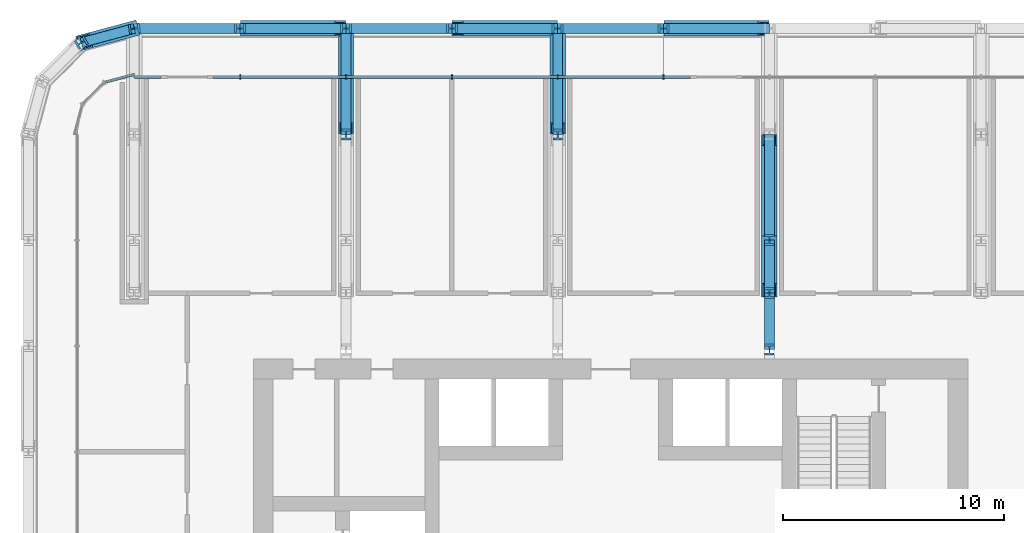
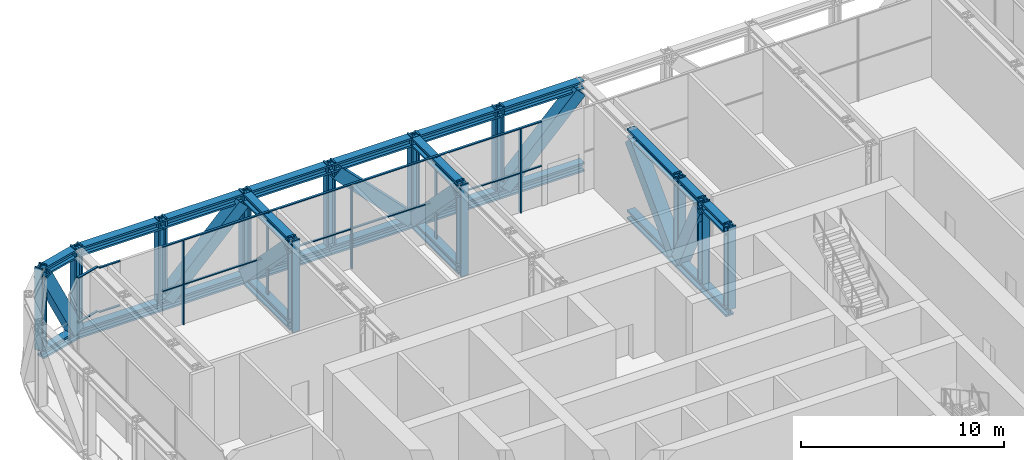
# One storey, part 9 of 23: 60 members, 2 elements without a shape of their own.
"""IFC4 building model written with IfcOpenShell, lengths in metres."""

from ifc_helpers import new_model, si_unit, direction, frame, origin, origin_2d, place, context, subcontext, project, spatial, rectangle, hollow_rectangle, i_section, extrude, material, layer, layer_set, material_profile, profile_set, type_object, element, aggregate, save


model = new_model("IFC4")

# Units and contexts
model_context = context("Model", 3, precision=1e-05, world=origin(), true_north=direction((0.0, 1.0)))
body_context = subcontext(model_context, "Body", "Model", "MODEL_VIEW")
ifc_project = project(units=[si_unit("LENGTHUNIT", "METRE"), si_unit("AREAUNIT", "SQUARE_METRE"), si_unit("VOLUMEUNIT", "CUBIC_METRE"), si_unit("PLANEANGLEUNIT", "RADIAN"), si_unit("MASSUNIT", "GRAM", prefix="KILO")], contexts=[model_context])

# Site, building, storey
site_placement = place(None, origin())
site = spatial("IfcSite", under=ifc_project, at=site_placement, CompositionType="ELEMENT")
building_placement = place(site_placement, origin())
building = spatial("IfcBuilding", under=site, at=building_placement, Name="Madar Terraces", CompositionType="ELEMENT")
storey_placement = place(building_placement, frame((0.0, 0.0, 83.800048828125)))
storey = spatial("IfcBuildingStorey", under=building, at=storey_placement, Name="L21", CompositionType="ELEMENT", Elevation=83.800048828125)

# Members
ifc_material_1 = material(Name="Steel ASTM A913 Grade 65", Category="steel")
ifc_material_profile_1 = material_profile(ifc_material_1, i_section(OverallWidth=0.449462890625, OverallDepth=0.548583984375, WebThickness=0.07177734375, FlangeThickness=0.11474609375, at=origin_2d()), Name="W14x665")
ifc_profile_set_1 = profile_set([ifc_material_profile_1], Name="Steel ASTM A913 Grade 65")
member_type_1 = type_object("IfcMemberType", Name="BC3 W14x665", PredefinedType="CHORD", material=ifc_profile_set_1)
member_1_placement = place(storey_placement, frame((38.39990234375, 52.800048828125, -0.145751953125), z_axis=(-1.0, 0.0, 0.0), x_axis=(0.0, -1.0, 0.0)))
element("IfcMember", 1, at=member_1_placement, inside=storey, type_object=member_type_1, Name="Exoskeleton truss ring bottom chord BC3", PredefinedType="CHORD", context=body_context, shape_type="SweptSolid", body=[
    extrude(i_section(OverallWidth=0.449462890625, OverallDepth=0.548583984375, WebThickness=0.07177734375, FlangeThickness=0.11474609375, at=origin_2d()), origin(), (0.0, 0.0, 1.0), 4.7998046875),
])
for number, where, z_axis, x_axis, name in (
    (2, (33.60009765625, 52.800048828125, -0.145751953125), (-1.0, 0.0, 0.0), (0.0, -1.0, 0.0), "Exoskeleton truss ring bottom chord BC3"),
    (3, (28.800048828125, 52.800048828125, -0.145751953125), (-1.0, 0.0, 0.0), (0.0, -1.0, 0.0), "Exoskeleton truss ring bottom chord BC3"),
    (4, (24.0, 52.800048828125, -0.145751953125), (-1.0, 0.0, 0.0), (0.0, -1.0, 0.0), "Exoskeleton truss ring bottom chord BC3"),
    (5, (19.199951171875, 52.800048828125, -0.145751953125), (-1.0, 0.0, 0.0), (0.0, -1.0, 0.0), "Exoskeleton truss ring bottom chord BC3"),
):
    element("IfcMember", number, at=place(storey_placement, frame(where, z_axis=z_axis, x_axis=x_axis)), inside=storey, type_object=member_type_1, Name=name, PredefinedType="CHORD", context=body_context, shape_type="SweptSolid", body=[
        extrude(i_section(OverallWidth=0.449462890625, OverallDepth=0.548583984375, WebThickness=0.07177734375, FlangeThickness=0.11474609375, at=origin_2d()), origin(), (0.0, 0.0, 1.0), 4.800048828125),
    ])
member_2_placement = place(storey_placement, frame((14.39990234375, 52.800048828125, -0.145751953125), z_axis=(-1.0, 0.0, 0.0), x_axis=(0.0, -1.0, 0.0)))
element("IfcMember", 6, at=member_2_placement, inside=storey, type_object=member_type_1, Name="Exoskeleton truss ring bottom chord BC3", PredefinedType="CHORD", context=body_context, shape_type="SweptSolid", body=[
    extrude(i_section(OverallWidth=0.449462890625, OverallDepth=0.548583984375, WebThickness=0.07177734375, FlangeThickness=0.11474609375, at=origin_2d()), origin(), (0.0, 0.0, 1.0), 4.7998046875),
])
member_3_placement = place(storey_placement, frame((9.60009765625, 52.800048828125, -0.145751953125), z_axis=(-0.965930947833, -0.258799930484, 0.0), x_axis=(0.258799930484, -0.965930947833, 0.0)))
element("IfcMember", 7, at=member_3_placement, inside=storey, type_object=member_type_1, Name="Exoskeleton truss ring bottom chord BC3", PredefinedType="CHORD", context=body_context, shape_type="SweptSolid", body=[
    extrude(i_section(OverallWidth=0.449462890625, OverallDepth=0.548583984375, WebThickness=0.07177734375, FlangeThickness=0.11474609375, at=origin_2d()), origin(), (0.0, 0.0, 1.0), 2.48486328125),
])
for number, where, z_axis, x_axis, name in (
    (8, (19.199951171875, 52.5751953125, -0.145751953125), (0.0, -1.0, 0.0), (1.0, 0.0, 0.0), "Exoskeleton truss cross N19.2 bottom chord BC3"),
    (9, (28.800048828125, 52.5751953125, -0.145751953125), (0.0, -1.0, 0.0), (1.0, 0.0, 0.0), "Exoskeleton truss cross N28.8 bottom chord BC3"),
):
    element("IfcMember", number, at=place(storey_placement, frame(where, z_axis=z_axis, x_axis=x_axis)), inside=storey, type_object=member_type_1, Name=name, PredefinedType="CHORD", context=body_context, shape_type="SweptSolid", body=[
        extrude(i_section(OverallWidth=0.449462890625, OverallDepth=0.548583984375, WebThickness=0.07177734375, FlangeThickness=0.11474609375, at=origin_2d()), origin(), (0.0, 0.0, 1.0), 4.5751953125),
    ])
member_4_placement = place(storey_placement, frame((38.39990234375, 48.0, -0.145751953125), z_axis=(0.0, -1.0, 0.0), x_axis=(1.0, 0.0, 0.0)))
element("IfcMember", 10, at=member_4_placement, inside=storey, type_object=member_type_1, Name="Exoskeleton truss cross N38.4 bottom chord BC3", PredefinedType="CHORD", context=body_context, shape_type="SweptSolid", body=[
    extrude(i_section(OverallWidth=0.449462890625, OverallDepth=0.548583984375, WebThickness=0.07177734375, FlangeThickness=0.11474609375, at=origin_2d()), origin(), (0.0, 0.0, 1.0), 4.800048828125),
])
member_5_placement = place(storey_placement, frame((38.39990234375, 43.199951171875, -0.145751953125), z_axis=(0.0, -1.0, 0.0), x_axis=(1.0, 0.0, 0.0)))
element("IfcMember", 11, at=member_5_placement, inside=storey, type_object=member_type_1, Name="Exoskeleton truss cross N38.4 bottom chord BC3", PredefinedType="CHORD", context=body_context, shape_type="SweptSolid", body=[
    extrude(i_section(OverallWidth=0.449462890625, OverallDepth=0.548583984375, WebThickness=0.07177734375, FlangeThickness=0.11474609375, at=origin_2d()), origin(), (0.0, 0.0, 1.0), 2.39990234375),
])
member_6_placement = place(storey_placement, frame((38.39990234375, 40.800048828125, -0.145751953125), z_axis=(0.0, -1.0, 0.0), x_axis=(1.0, 0.0, 0.0)))
element("IfcMember", 12, at=member_6_placement, inside=storey, type_object=member_type_1, Name="Exoskeleton truss cross N38.4 bottom chord BC3", PredefinedType="CHORD", context=body_context, shape_type="SweptSolid", body=[
    extrude(i_section(OverallWidth=0.449462890625, OverallDepth=0.548583984375, WebThickness=0.07177734375, FlangeThickness=0.11474609375, at=origin_2d()), origin(), (0.0, 0.0, 1.0), 2.550048828125),
])

# Curtain wall, members
ifc_material_2 = material(Name="Glass, ceramic frit dark grey, with black aluminium frame", Category="aluminium")
ifc_layer = layer(ifc_material_2, 0.199951171875)
ifc_layer_set = layer_set([ifc_layer], Name="Facade curtain wall, tall glazing")
curtain_wall_type = type_object("IfcCurtainWallType", Name="Facade curtain wall, tall glazing", PredefinedType="NOTDEFINED", material=ifc_layer_set)
curtain_wall_1_placement = place(storey_placement, origin())
curtain_wall_1 = element("IfcCurtainWall", 13, at=curtain_wall_1_placement, inside=storey, type_object=curtain_wall_type, Name="Outer skin curtain wall north bay 1", PredefinedType="NOTDEFINED")
ifc_material_3 = material(Name="Aluminium, black anodised", Category="aluminium")
ifc_material_profile_2 = material_profile(ifc_material_3, rectangle(XDim=0.199951171875, YDim=0.06005859375, at=origin_2d()), Name="Facade mullion 60x200")
ifc_profile_set_2 = profile_set([ifc_material_profile_2], Name="Aluminium, black anodised")
member_type_2 = type_object("IfcMemberType", Name="Facade mullion 60x200", PredefinedType="MULLION", material=ifc_profile_set_2)
member_7_placement = place(storey_placement, frame((33.60009765625, 50.60009765625, 0.0), z_axis=(0.0, 0.0, 1.0), x_axis=(0.0, -1.0, 0.0)))
member_7 = element("IfcMember", 14, at=member_7_placement, type_object=member_type_2, Name="Mullion 5", PredefinedType="MULLION", context=body_context, shape_type="SweptSolid", body=[
    extrude(rectangle(XDim=0.199951171875, YDim=0.06005859375, at=origin_2d()), origin(), (0.0, 0.0, 1.0), 5.0400390625),
])
member_8_placement = place(storey_placement, frame((28.800048828125, 50.60009765625, 0.0), z_axis=(0.0, 0.0, 1.0), x_axis=(0.0, -1.0, 0.0)))
member_8 = element("IfcMember", 15, at=member_8_placement, type_object=member_type_2, Name="Mullion 6", PredefinedType="MULLION", context=body_context, shape_type="SweptSolid", body=[
    extrude(rectangle(XDim=0.199951171875, YDim=0.06005859375, at=origin_2d()), origin(), (0.0, 0.0, 1.0), 5.0400390625),
])
member_9_placement = place(storey_placement, frame((24.0, 50.60009765625, 0.0), z_axis=(0.0, 0.0, 1.0), x_axis=(0.0, -1.0, 0.0)))
member_9 = element("IfcMember", 16, at=member_9_placement, type_object=member_type_2, Name="Mullion 7", PredefinedType="MULLION", context=body_context, shape_type="SweptSolid", body=[
    extrude(rectangle(XDim=0.199951171875, YDim=0.06005859375, at=origin_2d()), origin(), (0.0, 0.0, 1.0), 5.0400390625),
])
member_10_placement = place(storey_placement, frame((19.199951171875, 50.60009765625, 0.0), z_axis=(0.0, 0.0, 1.0), x_axis=(0.0, -1.0, 0.0)))
member_10 = element("IfcMember", 17, at=member_10_placement, type_object=member_type_2, Name="Mullion 8", PredefinedType="MULLION", context=body_context, shape_type="SweptSolid", body=[
    extrude(rectangle(XDim=0.199951171875, YDim=0.06005859375, at=origin_2d()), origin(), (0.0, 0.0, 1.0), 5.0400390625),
])
member_11_placement = place(storey_placement, frame((14.39990234375, 50.60009765625, 0.0), z_axis=(0.0, 0.0, 1.0), x_axis=(0.0, -1.0, 0.0)))
member_11 = element("IfcMember", 18, at=member_11_placement, type_object=member_type_2, Name="Mullion 9", PredefinedType="MULLION", context=body_context, shape_type="SweptSolid", body=[
    extrude(rectangle(XDim=0.199951171875, YDim=0.06005859375, at=origin_2d()), origin(), (0.0, 0.0, 1.0), 5.0400390625),
])
ifc_material_4 = material(Name="Aluminium, black anodised", Category="aluminium")
ifc_material_profile_3 = material_profile(ifc_material_4, rectangle(XDim=0.1201171875, YDim=0.06005859375, at=origin_2d()), Name="Facade transom 60x120")
ifc_profile_set_3 = profile_set([ifc_material_profile_3], Name="Aluminium, black anodised")
member_type_3 = type_object("IfcMemberType", Name="Facade transom 60x120", PredefinedType="USERDEFINED", material=ifc_profile_set_3)
member_12_placement = place(storey_placement, frame((34.800048828125, 50.60009765625, 5.070068359375), z_axis=(-1.0, 0.0, 0.0), x_axis=(0.0, -1.0, 0.0)))
member_12 = element("IfcMember", 19, at=member_12_placement, type_object=member_type_3, Name="Transom 7", ObjectType="TRANSOM", PredefinedType="USERDEFINED", context=body_context, shape_type="SweptSolid", body=[
    extrude(rectangle(XDim=0.1201171875, YDim=0.06005859375, at=origin_2d()), origin(), (0.0, 0.0, 1.0), 21.60009765625),
])
member_13_placement = place(storey_placement, frame((34.800048828125, 50.60009765625, 2.39990234375), z_axis=(-1.0, 0.0, 0.0), x_axis=(0.0, -1.0, 0.0)))
member_13 = element("IfcMember", 20, at=member_13_placement, type_object=member_type_3, Name="Transom 8", ObjectType="TRANSOM", PredefinedType="USERDEFINED", context=body_context, shape_type="SweptSolid", body=[
    extrude(rectangle(XDim=0.1201171875, YDim=0.06005859375, at=origin_2d()), origin(), (0.0, 0.0, 1.0), 1.170166015625),
])
member_14_placement = place(storey_placement, frame((33.570068359375, 50.60009765625, 2.39990234375), z_axis=(-1.0, 0.0, 0.0), x_axis=(0.0, -1.0, 0.0)))
member_14 = element("IfcMember", 21, at=member_14_placement, type_object=member_type_3, Name="Transom 9", ObjectType="TRANSOM", PredefinedType="USERDEFINED", context=body_context, shape_type="SweptSolid", body=[
    extrude(rectangle(XDim=0.1201171875, YDim=0.06005859375, at=origin_2d()), origin(), (0.0, 0.0, 1.0), 4.739990234375),
])
member_15_placement = place(storey_placement, frame((28.77001953125, 50.60009765625, 2.39990234375), z_axis=(-1.0, 0.0, 0.0), x_axis=(0.0, -1.0, 0.0)))
member_15 = element("IfcMember", 22, at=member_15_placement, type_object=member_type_3, Name="Transom 10", ObjectType="TRANSOM", PredefinedType="USERDEFINED", context=body_context, shape_type="SweptSolid", body=[
    extrude(rectangle(XDim=0.1201171875, YDim=0.06005859375, at=origin_2d()), origin(), (0.0, 0.0, 1.0), 4.739990234375),
])
member_16_placement = place(storey_placement, frame((23.969970703125, 50.60009765625, 2.39990234375), z_axis=(-1.0, 0.0, 0.0), x_axis=(0.0, -1.0, 0.0)))
member_16 = element("IfcMember", 23, at=member_16_placement, type_object=member_type_3, Name="Transom 11", ObjectType="TRANSOM", PredefinedType="USERDEFINED", context=body_context, shape_type="SweptSolid", body=[
    extrude(rectangle(XDim=0.1201171875, YDim=0.06005859375, at=origin_2d()), origin(), (0.0, 0.0, 1.0), 4.739990234375),
])
member_17_placement = place(storey_placement, frame((19.169921875, 50.60009765625, 2.39990234375), z_axis=(-1.0, 0.0, 0.0), x_axis=(0.0, -1.0, 0.0)))
member_17 = element("IfcMember", 24, at=member_17_placement, type_object=member_type_3, Name="Transom 12", ObjectType="TRANSOM", PredefinedType="USERDEFINED", context=body_context, shape_type="SweptSolid", body=[
    extrude(rectangle(XDim=0.1201171875, YDim=0.06005859375, at=origin_2d()), origin(), (0.0, 0.0, 1.0), 4.739990234375),
])
member_18_placement = place(storey_placement, frame((14.3701171875, 50.60009765625, 2.39990234375), z_axis=(-1.0, 0.0, 0.0), x_axis=(0.0, -1.0, 0.0)))
member_18 = element("IfcMember", 25, at=member_18_placement, type_object=member_type_3, Name="Transom 13", ObjectType="TRANSOM", PredefinedType="USERDEFINED", context=body_context, shape_type="SweptSolid", body=[
    extrude(rectangle(XDim=0.1201171875, YDim=0.06005859375, at=origin_2d()), origin(), (0.0, 0.0, 1.0), 1.170166015625),
])
member_19_placement = place(storey_placement, frame((10.800048828125, 50.60009765625, 5.070068359375), z_axis=(-1.0, 0.0, 0.0), x_axis=(0.0, -1.0, 0.0)))
member_19 = element("IfcMember", 26, at=member_19_placement, type_object=member_type_3, Name="Transom 14", ObjectType="TRANSOM", PredefinedType="USERDEFINED", context=body_context, shape_type="SweptSolid", body=[
    extrude(rectangle(XDim=0.1201171875, YDim=0.06005859375, at=origin_2d()), origin(), (0.0, 0.0, 1.0), 1.199951171875),
])
member_20_placement = place(storey_placement, frame((10.800048828125, 50.60009765625, 2.39990234375), z_axis=(-1.0, 0.0, 0.0), x_axis=(0.0, -1.0, 0.0)))
member_20 = element("IfcMember", 27, at=member_20_placement, type_object=member_type_3, Name="Transom 15", ObjectType="TRANSOM", PredefinedType="USERDEFINED", context=body_context, shape_type="SweptSolid", body=[
    extrude(rectangle(XDim=0.1201171875, YDim=0.06005859375, at=origin_2d()), origin(), (0.0, 0.0, 1.0), 1.199951171875),
])
aggregate(curtain_wall_1, [member_7, member_8, member_9, member_10, member_11, member_12, member_13, member_14, member_15, member_16, member_17, member_18, member_19, member_20])

curtain_wall_2_placement = place(storey_placement, origin())
curtain_wall_2 = element("IfcCurtainWall", 28, at=curtain_wall_2_placement, inside=storey, type_object=curtain_wall_type, Name="Outer skin curtain wall north-west corner", PredefinedType="NOTDEFINED")
member_21_placement = place(storey_placement, frame((9.60009765625, 50.719970703125, 5.070068359375), z_axis=(-0.965919580711, -0.258842352791, 0.0), x_axis=(0.258842352791, -0.965919580711, 0.0)))
member_21 = element("IfcMember", 29, at=member_21_placement, type_object=member_type_3, Name="Transom 1", ObjectType="TRANSOM", PredefinedType="USERDEFINED", context=body_context, shape_type="SweptSolid", body=[
    extrude(rectangle(XDim=0.1201171875, YDim=0.06005859375, at=origin_2d()), origin(), (0.0, 0.0, 1.0), 1.3779296875),
])
member_22_placement = place(storey_placement, frame((9.60009765625, 50.719970703125, 2.39990234375), z_axis=(-0.965919580711, -0.258842352791, 0.0), x_axis=(0.258842352791, -0.965919580711, 0.0)))
member_22 = element("IfcMember", 30, at=member_22_placement, type_object=member_type_3, Name="Transom 2", ObjectType="TRANSOM", PredefinedType="USERDEFINED", context=body_context, shape_type="SweptSolid", body=[
    extrude(rectangle(XDim=0.1201171875, YDim=0.06005859375, at=origin_2d()), origin(), (0.0, 0.0, 1.0), 1.3779296875),
])
aggregate(curtain_wall_2, [member_21, member_22])

# Members
ifc_material_5 = material(Name="Steel ASTM A913 Grade 65", Category="steel")
ifc_material_profile_4 = material_profile(ifc_material_5, i_section(OverallWidth=0.44189453125, OverallDepth=0.53076171875, WebThickness=0.06591796875, FlangeThickness=0.105712890625, at=origin_2d()), Name="W14x605")
ifc_profile_set_4 = profile_set([ifc_material_profile_4], Name="Steel ASTM A913 Grade 65")
member_type_4 = type_object("IfcMemberType", Name="TC3 W14x605", PredefinedType="CHORD", material=ifc_profile_set_4)
member_23_placement = place(storey_placement, frame((38.39990234375, 52.800048828125, 4.764404296875), z_axis=(-1.0, 0.0, 0.0), x_axis=(0.0, -1.0, 0.0)))
element("IfcMember", 31, at=member_23_placement, inside=storey, type_object=member_type_4, Name="Exoskeleton truss ring top chord TC3", PredefinedType="CHORD", context=body_context, shape_type="SweptSolid", body=[
    extrude(i_section(OverallWidth=0.44189453125, OverallDepth=0.53076171875, WebThickness=0.06591796875, FlangeThickness=0.105712890625, at=origin_2d()), origin(), (0.0, 0.0, 1.0), 4.7998046875),
])
for number, where, z_axis, x_axis, name in (
    (32, (33.60009765625, 52.800048828125, 4.764404296875), (-1.0, 0.0, 0.0), (0.0, -1.0, 0.0), "Exoskeleton truss ring top chord TC3"),
    (33, (28.800048828125, 52.800048828125, 4.764404296875), (-1.0, 0.0, 0.0), (0.0, -1.0, 0.0), "Exoskeleton truss ring top chord TC3"),
    (34, (24.0, 52.800048828125, 4.764404296875), (-1.0, 0.0, 0.0), (0.0, -1.0, 0.0), "Exoskeleton truss ring top chord TC3"),
    (35, (19.199951171875, 52.800048828125, 4.764404296875), (-1.0, 0.0, 0.0), (0.0, -1.0, 0.0), "Exoskeleton truss ring top chord TC3"),
):
    element("IfcMember", number, at=place(storey_placement, frame(where, z_axis=z_axis, x_axis=x_axis)), inside=storey, type_object=member_type_4, Name=name, PredefinedType="CHORD", context=body_context, shape_type="SweptSolid", body=[
        extrude(i_section(OverallWidth=0.44189453125, OverallDepth=0.53076171875, WebThickness=0.06591796875, FlangeThickness=0.105712890625, at=origin_2d()), origin(), (0.0, 0.0, 1.0), 4.800048828125),
    ])
member_24_placement = place(storey_placement, frame((14.39990234375, 52.800048828125, 4.764404296875), z_axis=(-1.0, 0.0, 0.0), x_axis=(0.0, -1.0, 0.0)))
element("IfcMember", 36, at=member_24_placement, inside=storey, type_object=member_type_4, Name="Exoskeleton truss ring top chord TC3", PredefinedType="CHORD", context=body_context, shape_type="SweptSolid", body=[
    extrude(i_section(OverallWidth=0.44189453125, OverallDepth=0.53076171875, WebThickness=0.06591796875, FlangeThickness=0.105712890625, at=origin_2d()), origin(), (0.0, 0.0, 1.0), 4.7998046875),
])
member_25_placement = place(storey_placement, frame((9.60009765625, 52.800048828125, 4.764404296875), z_axis=(-0.965930947833, -0.258799930484, 0.0), x_axis=(0.258799930484, -0.965930947833, 0.0)))
element("IfcMember", 37, at=member_25_placement, inside=storey, type_object=member_type_4, Name="Exoskeleton truss ring top chord TC3", PredefinedType="CHORD", context=body_context, shape_type="SweptSolid", body=[
    extrude(i_section(OverallWidth=0.44189453125, OverallDepth=0.53076171875, WebThickness=0.06591796875, FlangeThickness=0.105712890625, at=origin_2d()), origin(), (0.0, 0.0, 1.0), 2.48486328125),
])
for number, where, z_axis, x_axis, name in (
    (38, (19.199951171875, 52.5791015625, 4.764404296875), (0.0, -1.0, 0.0), (1.0, 0.0, 0.0), "Exoskeleton truss cross N19.2 top chord TC3"),
    (39, (28.800048828125, 52.5791015625, 4.764404296875), (0.0, -1.0, 0.0), (1.0, 0.0, 0.0), "Exoskeleton truss cross N28.8 top chord TC3"),
):
    element("IfcMember", number, at=place(storey_placement, frame(where, z_axis=z_axis, x_axis=x_axis)), inside=storey, type_object=member_type_4, Name=name, PredefinedType="CHORD", context=body_context, shape_type="SweptSolid", body=[
        extrude(i_section(OverallWidth=0.44189453125, OverallDepth=0.53076171875, WebThickness=0.06591796875, FlangeThickness=0.105712890625, at=origin_2d()), origin(), (0.0, 0.0, 1.0), 4.5791015625),
    ])
member_26_placement = place(storey_placement, frame((38.39990234375, 48.0, 4.764404296875), z_axis=(0.0, -1.0, 0.0), x_axis=(1.0, 0.0, 0.0)))
element("IfcMember", 40, at=member_26_placement, inside=storey, type_object=member_type_4, Name="Exoskeleton truss cross N38.4 top chord TC3", PredefinedType="CHORD", context=body_context, shape_type="SweptSolid", body=[
    extrude(i_section(OverallWidth=0.44189453125, OverallDepth=0.53076171875, WebThickness=0.06591796875, FlangeThickness=0.105712890625, at=origin_2d()), origin(), (0.0, 0.0, 1.0), 4.800048828125),
])
member_27_placement = place(storey_placement, frame((38.39990234375, 43.199951171875, 4.764404296875), z_axis=(0.0, -1.0, 0.0), x_axis=(1.0, 0.0, 0.0)))
element("IfcMember", 41, at=member_27_placement, inside=storey, type_object=member_type_4, Name="Exoskeleton truss cross N38.4 top chord TC3", PredefinedType="CHORD", context=body_context, shape_type="SweptSolid", body=[
    extrude(i_section(OverallWidth=0.44189453125, OverallDepth=0.53076171875, WebThickness=0.06591796875, FlangeThickness=0.105712890625, at=origin_2d()), origin(), (0.0, 0.0, 1.0), 2.39990234375),
])
member_28_placement = place(storey_placement, frame((38.39990234375, 40.800048828125, 4.764404296875), z_axis=(0.0, -1.0, 0.0), x_axis=(1.0, 0.0, 0.0)))
element("IfcMember", 42, at=member_28_placement, inside=storey, type_object=member_type_4, Name="Exoskeleton truss cross N38.4 top chord TC3", PredefinedType="CHORD", context=body_context, shape_type="SweptSolid", body=[
    extrude(i_section(OverallWidth=0.44189453125, OverallDepth=0.53076171875, WebThickness=0.06591796875, FlangeThickness=0.105712890625, at=origin_2d()), origin(), (0.0, 0.0, 1.0), 2.550048828125),
])
ifc_material_6 = material(Name="Steel ASTM A572 Grade 50", Category="steel")
ifc_material_profile_5 = material_profile(ifc_material_6, hollow_rectangle(XDim=0.699951171875, YDim=0.699951171875, WallThickness=0.070068359375, at=origin_2d()), Name="BOX700x700x70")
ifc_profile_set_5 = profile_set([ifc_material_profile_5], Name="Steel ASTM A572 Grade 50")
member_type_5 = type_object("IfcMemberType", Name="TD3 BOX700x700x70", PredefinedType="BRACE", material=ifc_profile_set_5)
member_29_placement = place(storey_placement, frame((38.140625, 52.800048828125, 4.4990234375), z_axis=(-0.699052279579, 0.0, -0.715070563242), x_axis=(0.0, -1.0, 0.0)))
element("IfcMember", 43, at=member_29_placement, inside=storey, type_object=member_type_5, Name="Exoskeleton truss ring diagonal TD3", PredefinedType="BRACE", context=body_context, shape_type="SweptSolid", body=[
    extrude(hollow_rectangle(XDim=0.699951171875, YDim=0.699951171875, WallThickness=0.070068359375, at=origin_2d()), origin(), (0.0, 0.0, 1.0), 6.11181640625),
])
for number, where, z_axis, x_axis, name in (
    (44, (28.53173828125, 52.800048828125, 0.128662109375), (-0.699031853378, 0.0, 0.715090531306), (0.0, -1.0, 0.0), "Exoskeleton truss ring diagonal TD3"),
    (45, (18.9404296875, 52.800048828125, 4.4990234375), (-0.699031853378, 0.0, -0.715090531306), (0.0, -1.0, 0.0), "Exoskeleton truss ring diagonal TD3"),
):
    element("IfcMember", number, at=place(storey_placement, frame(where, z_axis=z_axis, x_axis=x_axis)), inside=storey, type_object=member_type_5, Name=name, PredefinedType="BRACE", context=body_context, shape_type="SweptSolid", body=[
        extrude(hollow_rectangle(XDim=0.699951171875, YDim=0.699951171875, WallThickness=0.070068359375, at=origin_2d()), origin(), (0.0, 0.0, 1.0), 6.111572265625),
    ])
member_30_placement = place(storey_placement, frame((9.4658203125, 52.76416015625, 0.128662109375), z_axis=(-0.436094854598, -0.116886779521, 0.892277287936), x_axis=(0.258892437981, -0.965906157738, 0.0)))
element("IfcMember", 46, at=member_30_placement, inside=storey, type_object=member_type_5, Name="Exoskeleton truss ring diagonal TD3", PredefinedType="BRACE", context=body_context, shape_type="SweptSolid", body=[
    extrude(hollow_rectangle(XDim=0.699951171875, YDim=0.699951171875, WallThickness=0.070068359375, at=origin_2d()), origin(), (0.0, 0.0, 1.0), 4.89794921875),
])
for number, where, z_axis, x_axis, name in (
    (47, (19.199951171875, 52.53173828125, 0.128662109375), (0.0, -0.699031853378, 0.715090531306), (1.0, 0.0, 0.0), "Exoskeleton truss cross N19.2 diagonal TD3"),
    (48, (28.800048828125, 52.53173828125, 0.128662109375), (0.0, -0.699031853378, 0.715090531306), (1.0, 0.0, 0.0), "Exoskeleton truss cross N28.8 diagonal TD3"),
    (49, (38.39990234375, 47.740478515625, 4.4990234375), (0.0, -0.699031853378, -0.715090531306), (1.0, 0.0, 0.0), "Exoskeleton truss cross N38.4 diagonal TD3"),
):
    element("IfcMember", number, at=place(storey_placement, frame(where, z_axis=z_axis, x_axis=x_axis)), inside=storey, type_object=member_type_5, Name=name, PredefinedType="BRACE", context=body_context, shape_type="SweptSolid", body=[
        extrude(hollow_rectangle(XDim=0.699951171875, YDim=0.699951171875, WallThickness=0.070068359375, at=origin_2d()), origin(), (0.0, 0.0, 1.0), 6.111572265625),
    ])
member_31_placement = place(storey_placement, frame((38.39990234375, 43.06591796875, 0.128662109375), z_axis=(0.0, -0.439145320484, 0.898416043655), x_axis=(1.0, 0.0, 0.0)))
element("IfcMember", 50, at=member_31_placement, inside=storey, type_object=member_type_5, Name="Exoskeleton truss cross N38.4 diagonal TD3", PredefinedType="BRACE", context=body_context, shape_type="SweptSolid", body=[
    extrude(hollow_rectangle(XDim=0.699951171875, YDim=0.699951171875, WallThickness=0.070068359375, at=origin_2d()), origin(), (0.0, 0.0, 1.0), 4.864501953125),
])
ifc_material_7 = material(Name="Steel ASTM A913 Grade 65", Category="steel")
ifc_material_profile_6 = material_profile(ifc_material_7, i_section(OverallWidth=0.431884765625, OverallDepth=0.497802734375, WebThickness=0.0556640625, FlangeThickness=0.0888671875, at=origin_2d()), Name="W14x500")
ifc_profile_set_6 = profile_set([ifc_material_profile_6], Name="Steel ASTM A913 Grade 65")
member_type_6 = type_object("IfcMemberType", Name="TV3 W14x500", PredefinedType="POST", material=ifc_profile_set_6)
for number, where, z_axis, x_axis, name in (
    (51, (33.60009765625, 52.800048828125, 0.128662109375), (0.0, 0.0, 1.0), (0.0, -1.0, 0.0), "Exoskeleton truss ring post TV3"),
    (52, (28.800048828125, 52.800048828125, 0.128662109375), (0.0, 0.0, 1.0), (0.0, -1.0, 0.0), "Exoskeleton truss ring post TV3"),
    (53, (24.0, 52.800048828125, 0.128662109375), (0.0, 0.0, 1.0), (0.0, -1.0, 0.0), "Exoskeleton truss ring post TV3"),
    (54, (19.199951171875, 52.800048828125, 0.128662109375), (0.0, 0.0, 1.0), (0.0, -1.0, 0.0), "Exoskeleton truss ring post TV3"),
    (55, (14.39990234375, 52.800048828125, 0.128662109375), (0.0, 0.0, 1.0), (0.0, -1.0, 0.0), "Exoskeleton truss ring post TV3"),
    (56, (9.60009765625, 52.800048828125, 0.128662109375), (0.0, 0.0, 1.0), (0.130526174916, -0.991444863652, 0.0), "Exoskeleton truss ring post TV3"),
    (57, (7.199951171875, 52.156982421875, 0.128662109375), (0.0, 0.0, 1.0), (0.499999984885, -0.866025412511, 0.0), "Exoskeleton truss ring post TV3"),
):
    element("IfcMember", number, at=place(storey_placement, frame(where, z_axis=z_axis, x_axis=x_axis)), inside=storey, type_object=member_type_6, Name=name, PredefinedType="POST", context=body_context, shape_type="SweptSolid", body=[
        extrude(i_section(OverallWidth=0.431884765625, OverallDepth=0.497802734375, WebThickness=0.0556640625, FlangeThickness=0.0888671875, at=origin_2d()), origin(), (0.0, 0.0, 1.0), 4.97119140625),
    ])
for number, where, z_axis, x_axis, name in (
    (58, (19.199951171875, 48.0, -0.420166015625), (0.0, 0.0, 1.0), (-1.0, 0.0, 0.0), "Exoskeleton truss cross N19.2 post TV3"),
    (59, (28.800048828125, 48.0, -0.420166015625), (0.0, 0.0, 1.0), (-1.0, 0.0, 0.0), "Exoskeleton truss cross N28.8 post TV3"),
):
    element("IfcMember", number, at=place(storey_placement, frame(where, z_axis=z_axis, x_axis=x_axis)), inside=storey, type_object=member_type_6, Name=name, PredefinedType="POST", context=body_context, shape_type="SweptSolid", body=[
        extrude(i_section(OverallWidth=0.431884765625, OverallDepth=0.497802734375, WebThickness=0.0556640625, FlangeThickness=0.0888671875, at=origin_2d()), origin(), (0.0, 0.0, 1.0), 5.52001953125),
    ])
for number, where, z_axis, x_axis, name in (
    (60, (38.39990234375, 43.199951171875, 0.128662109375), (0.0, 0.0, 1.0), (-1.0, 0.0, 0.0), "Exoskeleton truss cross N38.4 post TV3"),
    (61, (38.39990234375, 40.800048828125, 0.128662109375), (0.0, 0.0, 1.0), (-1.0, 0.0, 0.0), "Exoskeleton truss cross N38.4 post TV3"),
    (62, (38.39990234375, 38.25, 0.128662109375), (0.0, 0.0, 1.0), (-1.0, 0.0, 0.0), "Exoskeleton truss cross N38.4 post TV3"),
):
    element("IfcMember", number, at=place(storey_placement, frame(where, z_axis=z_axis, x_axis=x_axis)), inside=storey, type_object=member_type_6, Name=name, PredefinedType="POST", context=body_context, shape_type="SweptSolid", body=[
        extrude(i_section(OverallWidth=0.431884765625, OverallDepth=0.497802734375, WebThickness=0.0556640625, FlangeThickness=0.0888671875, at=origin_2d()), origin(), (0.0, 0.0, 1.0), 4.97119140625),
    ])

save(model, "model.ifc")
